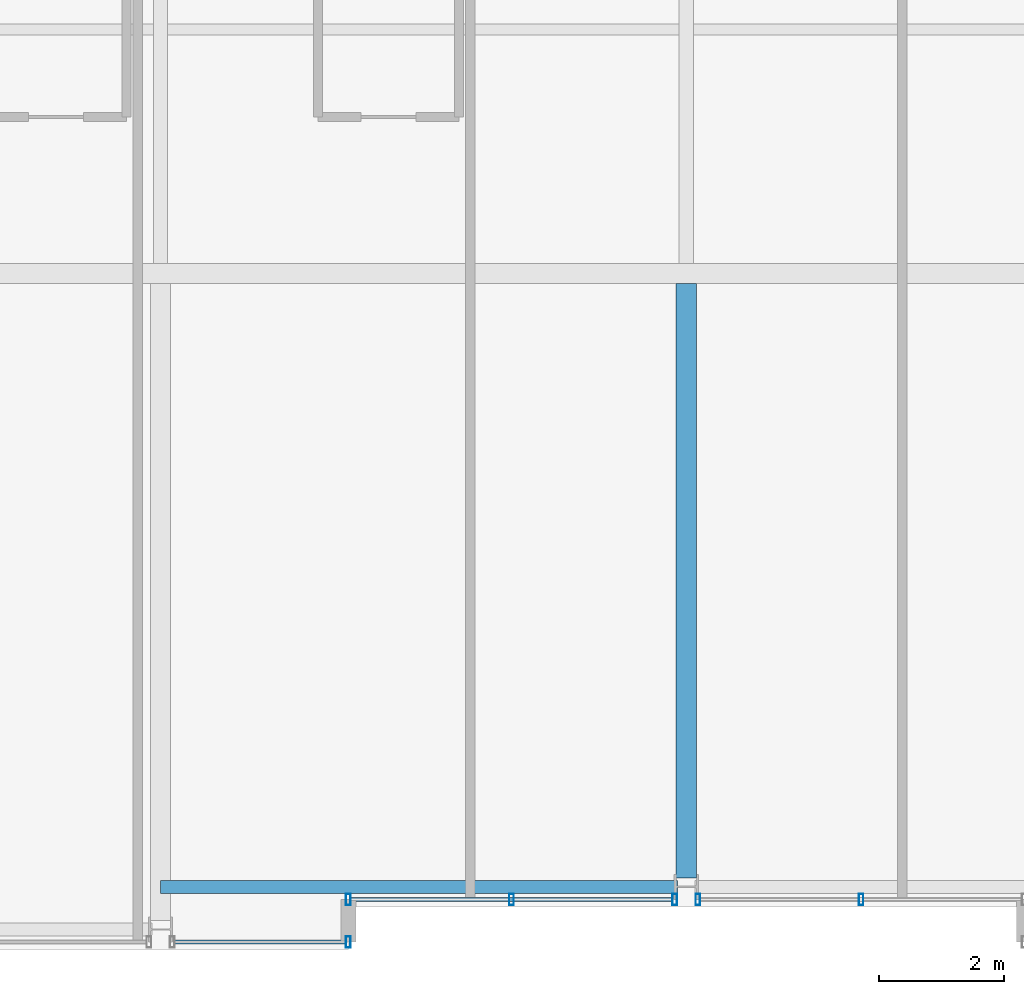
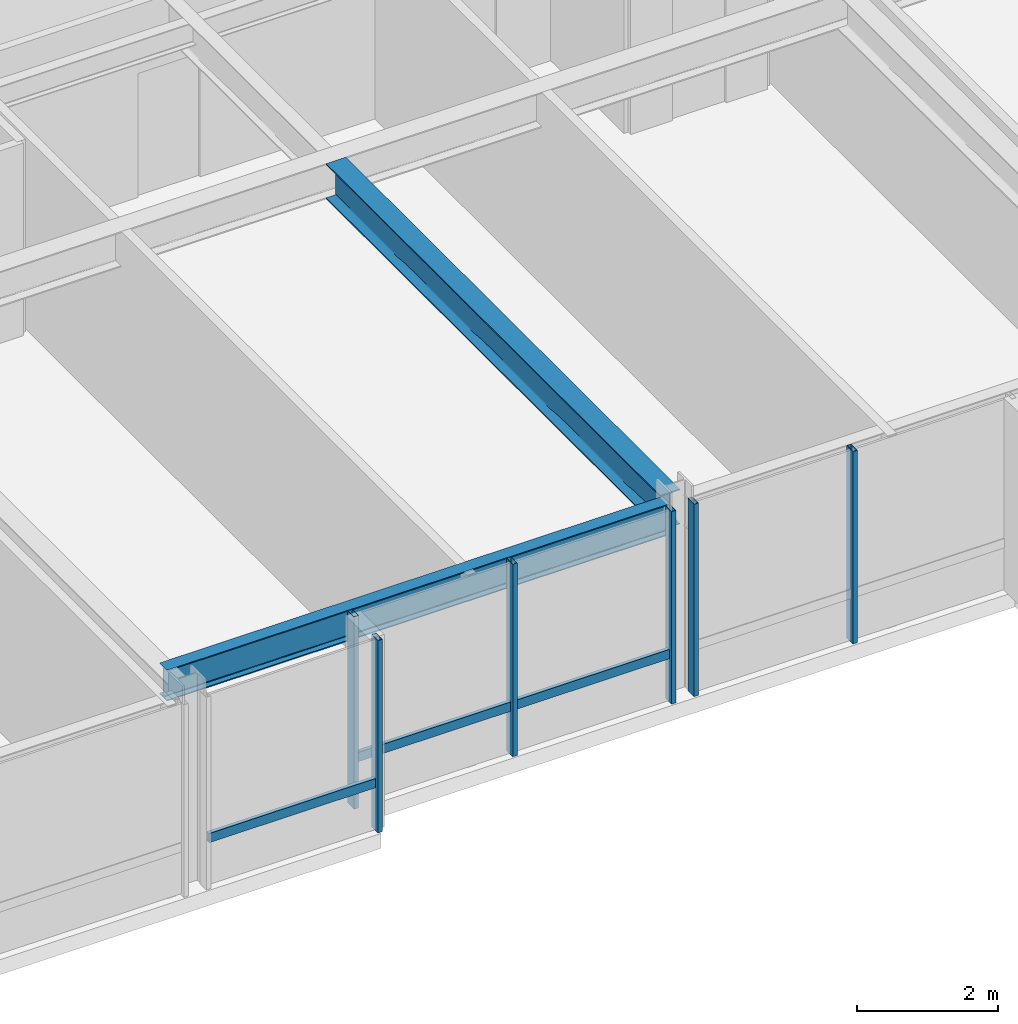
# One storey, part 5 of 31: 8 members, 2 beams, 3 elements without a shape of their own.
"""IFC4 building model written with IfcOpenShell, lengths in metres."""

from ifc_helpers import new_model, si_unit, direction, frame, origin, origin_2d, place, context, subcontext, project, spatial, hollow_rectangle, i_section, extrude, material, layer, layer_set, material_profile, profile_set, type_object, element, aggregate, save


model = new_model("IFC4")

# Units and contexts
model_context = context("Model", 3, precision=1e-05, world=origin(), true_north=direction((0.0, 1.0)))
body_context = subcontext(model_context, "Body", "Model", "MODEL_VIEW")
ifc_project = project(units=[si_unit("LENGTHUNIT", "METRE"), si_unit("AREAUNIT", "SQUARE_METRE"), si_unit("VOLUMEUNIT", "CUBIC_METRE"), si_unit("PLANEANGLEUNIT", "RADIAN"), si_unit("MASSUNIT", "GRAM", prefix="KILO")], contexts=[model_context])

# Site, building, storey
site_placement = place(None, origin())
site = spatial("IfcSite", under=ifc_project, at=site_placement, CompositionType="ELEMENT")
building_placement = place(site_placement, origin())
building = spatial("IfcBuilding", under=site, at=building_placement, Name="Drelvath Grand Hotel", CompositionType="ELEMENT")
storey_placement = place(building_placement, frame((0.0, 0.0, 230.300048828125)))
storey = spatial("IfcBuildingStorey", under=building, at=storey_placement, Name="L60", CompositionType="ELEMENT", Elevation=230.300048828125)

# Curtain wall, member
ifc_material_1 = material(Name="Platinum-Mist Anodised Aluminium Frame", Category="aluminium")
ifc_layer = layer(ifc_material_1, 0.199951171875)
ifc_layer_set = layer_set([ifc_layer], Name="Platinum-Mist Anodised Aluminium Frame")
curtain_wall_type = type_object("IfcCurtainWallType", Name="Stick Curtain Wall CW-05 Platinum Mist High-Rise", PredefinedType="NOTDEFINED", material=ifc_layer_set)
curtain_wall_1_placement = place(storey_placement, origin())
curtain_wall_1 = element("IfcCurtainWall", 1, at=curtain_wall_1_placement, inside=storey, type_object=curtain_wall_type, Name="L60 CW-05 Curtain Wall CW05-L60-SM1", PredefinedType="NOTDEFINED")
ifc_material_profile_1 = material_profile(ifc_material_1, hollow_rectangle(XDim=0.06494140625, YDim=0.159912109375, WallThickness=0.00390625, at=origin_2d()), Name="HSS160X65X4")
ifc_profile_set_1 = profile_set([ifc_material_profile_1], Name="Platinum-Mist Anodised Aluminium Frame")
member_type_1 = type_object("IfcMemberType", Name="Curtain Wall Horizontal Transom CW-05 HSS160X65X4", PredefinedType="USERDEFINED", material=ifc_profile_set_1)
member_1_placement = place(storey_placement, frame((-0.225341796875, 0.800048828125, 0.8349609375), z_axis=(-1.0, 0.0, 0.0), x_axis=(0.0, -1.0, 0.0)))
member_1 = element("IfcMember", 2, at=member_1_placement, type_object=member_type_1, Name="CW05-L60-SM1 Sill Transom", ObjectType="TRANSOM", PredefinedType="USERDEFINED", context=body_context, shape_type="SweptSolid", body=[
    extrude(hollow_rectangle(XDim=0.06494140625, YDim=0.159912109375, WallThickness=0.00390625, at=origin_2d()), origin(), (0.0, 0.0, 1.0), 5.134765625),
])

curtain_wall_2_placement = place(storey_placement, origin())
curtain_wall_2 = element("IfcCurtainWall", 3, at=curtain_wall_2_placement, inside=storey, type_object=curtain_wall_type, Name="L60 CW-05 Curtain Wall CW05-L60-SW3", PredefinedType="NOTDEFINED")
member_2_placement = place(storey_placement, frame((-5.43994140625, 0.1201171875, 0.8349609375), z_axis=(-1.0, 0.0, 0.0), x_axis=(0.0, -1.0, 0.0)))
member_2 = element("IfcMember", 4, at=member_2_placement, type_object=member_type_1, Name="CW05-L60-SW3 Sill Transom", ObjectType="TRANSOM", PredefinedType="USERDEFINED", context=body_context, shape_type="SweptSolid", body=[
    extrude(hollow_rectangle(XDim=0.06494140625, YDim=0.159912109375, WallThickness=0.00390625, at=origin_2d()), origin(), (0.0, 0.0, 1.0), 2.73486328125),
])

# Member
ifc_material_profile_2 = material_profile(ifc_material_1, hollow_rectangle(XDim=0.074951171875, YDim=0.179931640625, WallThickness=0.0048828125, at=origin_2d()), Name="HSS180X75X5")
ifc_profile_set_2 = profile_set([ifc_material_profile_2], Name="Platinum-Mist Anodised Aluminium Frame")
member_type_2 = type_object("IfcMemberType", Name="Curtain Wall Vertical Mullion CW-05 HSS180X75X5", PredefinedType="MULLION", material=ifc_profile_set_2)
member_3_placement = place(storey_placement, frame((-0.185302734375, 0.800048828125, 0.0), z_axis=(0.0, 0.0, 1.0), x_axis=(1.0, 0.0, 0.0)))
member_3 = element("IfcMember", 5, at=member_3_placement, type_object=member_type_2, Name="CW05-L60-SM1 Mullion 1", PredefinedType="MULLION", context=body_context, shape_type="SweptSolid", body=[
    extrude(hollow_rectangle(XDim=0.074951171875, YDim=0.179931640625, WallThickness=0.0048828125, at=origin_2d()), origin(), (0.0, 0.0, 1.0), 3.33984375),
])

member_4_placement = place(storey_placement, frame((-2.792724609375, 0.800048828125, 0.0), z_axis=(0.0, 0.0, 1.0), x_axis=(1.0, 0.0, 0.0)))
member_4 = element("IfcMember", 6, at=member_4_placement, type_object=member_type_2, Name="CW05-L60-SM1 Mullion 2", PredefinedType="MULLION", context=body_context, shape_type="SweptSolid", body=[
    extrude(hollow_rectangle(XDim=0.074951171875, YDim=0.179931640625, WallThickness=0.0048828125, at=origin_2d()), origin(), (0.0, 0.0, 1.0), 3.33984375),
])

member_5_placement = place(storey_placement, frame((-5.39990234375, 0.800048828125, 0.0), z_axis=(0.0, 0.0, 1.0), x_axis=(1.0, 0.0, 0.0)))
member_5 = element("IfcMember", 7, at=member_5_placement, type_object=member_type_2, Name="CW05-L60-SM1 Mullion 3", PredefinedType="MULLION", context=body_context, shape_type="SweptSolid", body=[
    extrude(hollow_rectangle(XDim=0.074951171875, YDim=0.179931640625, WallThickness=0.0048828125, at=origin_2d()), origin(), (0.0, 0.0, 1.0), 3.33984375),
])

aggregate(curtain_wall_1, [member_3, member_4, member_5, member_1])

# Curtain wall, members
curtain_wall_3_placement = place(storey_placement, origin())
curtain_wall_3 = element("IfcCurtainWall", 8, at=curtain_wall_3_placement, inside=storey, type_object=curtain_wall_type, Name="L60 CW-05 Curtain Wall CW05-L60-SM2", PredefinedType="NOTDEFINED")
member_6_placement = place(storey_placement, frame((2.792724609375, 0.800048828125, 0.0), z_axis=(0.0, 0.0, 1.0), x_axis=(1.0, 0.0, 0.0)))
member_6 = element("IfcMember", 9, at=member_6_placement, type_object=member_type_2, Name="CW05-L60-SM2 Mullion 2", PredefinedType="MULLION", context=body_context, shape_type="SweptSolid", body=[
    extrude(hollow_rectangle(XDim=0.074951171875, YDim=0.179931640625, WallThickness=0.0048828125, at=origin_2d()), origin(), (0.0, 0.0, 1.0), 3.33984375),
])
member_7_placement = place(storey_placement, frame((0.185302734375, 0.800048828125, 0.0), z_axis=(0.0, 0.0, 1.0), x_axis=(1.0, 0.0, 0.0)))
member_7 = element("IfcMember", 10, at=member_7_placement, type_object=member_type_2, Name="CW05-L60-SM2 Mullion 3", PredefinedType="MULLION", context=body_context, shape_type="SweptSolid", body=[
    extrude(hollow_rectangle(XDim=0.074951171875, YDim=0.179931640625, WallThickness=0.0048828125, at=origin_2d()), origin(), (0.0, 0.0, 1.0), 3.33984375),
])
aggregate(curtain_wall_3, [member_6, member_7])

# Member
member_8_placement = place(storey_placement, frame((-5.39990234375, 0.1201171875, 0.0), z_axis=(0.0, 0.0, 1.0), x_axis=(1.0, 0.0, 0.0)))
member_8 = element("IfcMember", 11, at=member_8_placement, type_object=member_type_2, Name="CW05-L60-SW3 Mullion 1", PredefinedType="MULLION", context=body_context, shape_type="SweptSolid", body=[
    extrude(hollow_rectangle(XDim=0.074951171875, YDim=0.179931640625, WallThickness=0.0048828125, at=origin_2d()), origin(), (0.0, 0.0, 1.0), 3.33984375),
])

aggregate(curtain_wall_2, [member_8, member_2])

# Beams
ifc_material_2 = material(Name="Steel ASTM A992 Gr 50", Category="steel")
ifc_material_profile_3 = material_profile(ifc_material_2, i_section(OverallWidth=0.210205078125, OverallDepth=0.53662109375, WebThickness=0.010986328125, FlangeThickness=0.017333984375, FilletRadius=0.01806640625, at=origin_2d()), Name="W21X68")
ifc_profile_set_3 = profile_set([ifc_material_profile_3], Name="Steel ASTM A992 Gr 50")
beam_type_1 = type_object("IfcBeamType", Name="Perimeter Spandrel Beam W21X68", PredefinedType="SPANDREL", material=ifc_profile_set_3)
beam_1_placement = place(storey_placement, frame((-8.39990234375, 1.0, 3.071533203125), z_axis=(1.0, 0.0, 0.0), x_axis=(0.0, 1.0, 0.0)))
element("IfcBeam", 12, at=beam_1_placement, inside=storey, type_object=beam_type_1, Name="L60 Spandrel South Mid W", PredefinedType="SPANDREL", context=body_context, shape_type="SweptSolid", body=[
    extrude(i_section(OverallWidth=0.210205078125, OverallDepth=0.53662109375, WebThickness=0.010986328125, FlangeThickness=0.017333984375, FilletRadius=0.01806640625, at=origin_2d()), origin(), (0.0, 0.0, 1.0), 8.260009765625),
])
ifc_material_profile_4 = material_profile(ifc_material_2, i_section(OverallWidth=0.323974609375, OverallDepth=0.611083984375, WebThickness=0.0126953125, FlangeThickness=0.01904296875, FilletRadius=0.02197265625, at=origin_2d()), Name="W24X104")
ifc_profile_set_4 = profile_set([ifc_material_profile_4], Name="Steel ASTM A992 Gr 50")
beam_type_2 = type_object("IfcBeamType", Name="Primary Floor Girder W24X104", PredefinedType="BEAM", material=ifc_profile_set_4)
beam_2_placement = place(storey_placement, frame((0.0, 1.139892578125, 3.034423828125), z_axis=(0.0, 1.0, 0.0), x_axis=(-1.0, 0.0, 0.0)))
element("IfcBeam", 13, at=beam_2_placement, inside=storey, type_object=beam_type_2, Name="L60 South Wing Girder 5", PredefinedType="BEAM", context=body_context, shape_type="SweptSolid", body=[
    extrude(i_section(OverallWidth=0.323974609375, OverallDepth=0.611083984375, WebThickness=0.0126953125, FlangeThickness=0.01904296875, FilletRadius=0.02197265625, at=origin_2d()), origin(), (0.0, 0.0, 1.0), 9.498046875),
])

save(model, "model.ifc")
